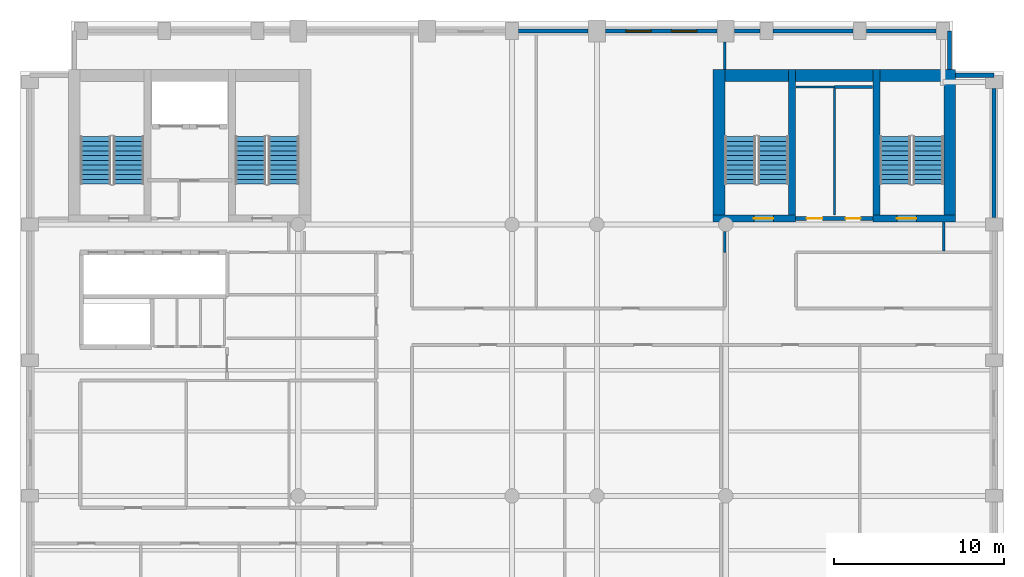
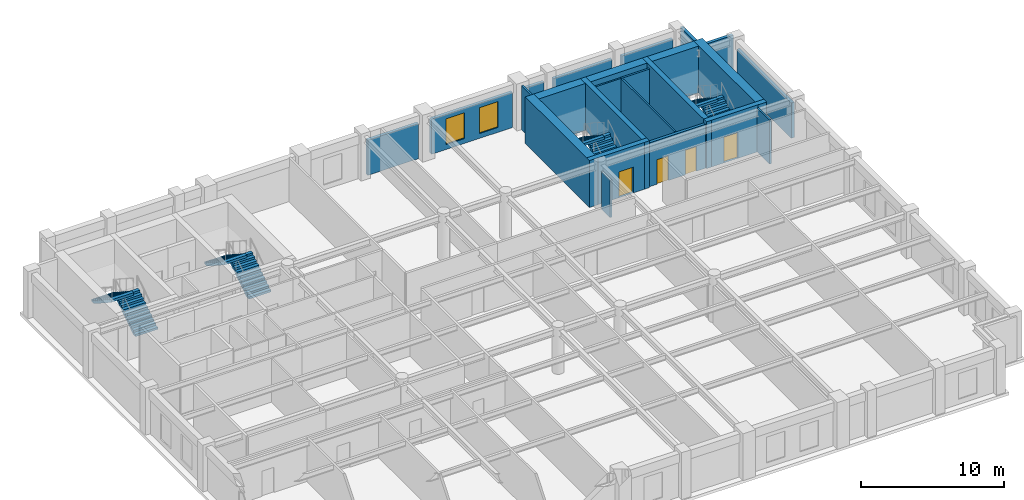
# One storey, part 6 of 8: 22 walls, 8 stair flights, 4 doors, 2 windows, 6 openings, 4 elements without a shape of their own.
"""IFC4 building model written with IfcOpenShell, lengths in metres."""

from ifc_helpers import new_model, si_unit, direction, frame, frame_2d, origin, place, context, subcontext, project, spatial, polyline, rectangle, outline, extrude, material, layer, layer_set, type_object, element, fill, aggregate, save


model = new_model("IFC4")

# Units and contexts
model_context = context("Model", 3, precision=1e-05, world=origin(), true_north=direction((0.0, 1.0)))
body_context = subcontext(model_context, "Body", "Model", "MODEL_VIEW")
ifc_project = project(units=[si_unit("LENGTHUNIT", "METRE"), si_unit("AREAUNIT", "SQUARE_METRE"), si_unit("VOLUMEUNIT", "CUBIC_METRE"), si_unit("PLANEANGLEUNIT", "RADIAN"), si_unit("MASSUNIT", "GRAM", prefix="KILO")], contexts=[model_context])

# Site, building, storey
site_placement = place(None, origin())
site = spatial("IfcSite", under=ifc_project, at=site_placement, CompositionType="ELEMENT")
building_placement = place(site_placement, origin())
building = spatial("IfcBuilding", under=site, at=building_placement, Name="Sulina Concourse Tower", CompositionType="ELEMENT")
storey_placement = place(building_placement, frame((0.0, 0.0, 252.60009765625)))
storey = spatial("IfcBuildingStorey", under=building, at=storey_placement, Name="L61", CompositionType="ELEMENT", Elevation=252.60009765625)

# Wall
ifc_material_1 = material(Name="Precast concrete C50/60", Category="concrete")
ifc_layer_1 = layer(ifc_material_1, 0.239990234375)
ifc_layer_set_1 = layer_set([ifc_layer_1], Name="Precast concrete C50/60")
wall_type_1 = type_object("IfcWallType", Name="Crown Precast Masonry-Frame Facade Wall 240mm", PredefinedType="SOLIDWALL", material=ifc_layer_set_1)
wall_1_placement = place(storey_placement, frame((29.39501953125, 45.39990234375, 0.0), z_axis=(0.0, 0.0, 1.0), x_axis=(1.0, 0.0, 0.0)))
element("IfcWall", 1, at=wall_1_placement, inside=storey, type_object=wall_type_1, Name="L61 exterior precast wall N6", PredefinedType="SOLIDWALL", context=body_context, shape_type="SweptSolid", body=[
    extrude(rectangle(XDim=4.0849609375, YDim=0.239990234375, at=frame_2d((2.04248046875, 0.0))), origin(), (0.0, 0.0, 1.0), 3.0),
])

# Wall, openings, windows
wall_2_placement = place(storey_placement, frame((34.52001953125, 45.39990234375, 0.0), z_axis=(0.0, 0.0, 1.0), x_axis=(1.0, 0.0, 0.0)))
wall_2 = element("IfcWall", 2, at=wall_2_placement, inside=storey, type_object=wall_type_1, Name="L61 exterior precast wall N7", PredefinedType="SOLIDWALL", context=body_context, shape_type="SweptSolid", body=[
    extrude(rectangle(XDim=6.56005859375, YDim=0.239990234375, at=frame_2d((3.280029296875, 0.0))), origin(), (0.0, 0.0, 1.0), 3.0),
])
opening_1_placement = place(wall_2_placement, frame((1.186767578125, 0.0, 0.419921875)))
opening_1 = element("IfcOpeningElement", 3, at=opening_1_placement, cuts=wall_2, Name="Opening WN-71", PredefinedType="OPENING", context=body_context, shape_type="SweptSolid", body=[
    extrude(rectangle(XDim=1.5, YDim=2.199951171875, at=frame_2d((0.75, 1.10009765625))), frame((0.0, 0.1298828125, 0.0), z_axis=(0.0, -1.0, 0.0), x_axis=(1.0, 0.0, 0.0)), (0.0, 0.0, 1.0), 0.260009765625),
])
opening_2_placement = place(wall_2_placement, frame((3.873291015625, 0.0, 0.419921875)))
opening_2 = element("IfcOpeningElement", 4, at=opening_2_placement, cuts=wall_2, Name="Opening WN-71", PredefinedType="OPENING", context=body_context, shape_type="SweptSolid", body=[
    extrude(rectangle(XDim=1.5, YDim=2.199951171875, at=frame_2d((0.75, 1.10009765625))), frame((0.0, 0.1298828125, 0.0), z_axis=(0.0, -1.0, 0.0), x_axis=(1.0, 0.0, 0.0)), (0.0, 0.0, 1.0), 0.260009765625),
])
ifc_material_2 = material(Name="Low-E solar double glazing in bronze aluminium", Category="aluminium")
window_type = type_object("IfcWindowType", Name="Punched Masonry-Frame Window 1500x2200", PartitioningType="SINGLE_PANEL", PredefinedType="WINDOW", material=ifc_material_2)
window_1_placement = place(opening_1_placement, origin())
window_1 = element("IfcWindow", 5, at=window_1_placement, inside=storey, type_object=window_type, Name="L61 punched window N7-1", OverallHeight=2.199951171875, OverallWidth=1.5, PartitioningType="SINGLE_PANEL", PredefinedType="WINDOW", context=body_context, shape_type="SweptSolid", body=[
    extrude(rectangle(XDim=1.5, YDim=2.199951171875, at=frame_2d((0.75, 1.10009765625))), frame((0.0, 0.030029296875, 0.0), z_axis=(0.0, -1.0, 0.0), x_axis=(1.0, 0.0, 0.0)), (0.0, 0.0, 1.0), 0.06005859375),
])
fill(opening_1, window_1)
window_2_placement = place(opening_2_placement, origin())
window_2 = element("IfcWindow", 6, at=window_2_placement, inside=storey, type_object=window_type, Name="L61 punched window N7-2", OverallHeight=2.199951171875, OverallWidth=1.5, PartitioningType="SINGLE_PANEL", PredefinedType="WINDOW", context=body_context, shape_type="SweptSolid", body=[
    extrude(rectangle(XDim=1.5, YDim=2.199951171875, at=frame_2d((0.75, 1.10009765625))), frame((0.0, 0.030029296875, 0.0), z_axis=(0.0, -1.0, 0.0), x_axis=(1.0, 0.0, 0.0)), (0.0, 0.0, 1.0), 0.06005859375),
])
fill(opening_2, window_2)

# Walls
wall_3_placement = place(storey_placement, frame((42.1201171875, 45.39990234375, 0.0), z_axis=(0.0, 0.0, 1.0), x_axis=(1.0, 0.0, 0.0)))
element("IfcWall", 7, at=wall_3_placement, inside=storey, type_object=wall_type_1, Name="L61 exterior precast wall N8", PredefinedType="SOLIDWALL", context=body_context, shape_type="SweptSolid", body=[
    extrude(rectangle(XDim=1.48486328125, YDim=0.239990234375, at=frame_2d((0.742431640625, 0.0))), origin(), (0.0, 0.0, 1.0), 3.0),
])
wall_4_placement = place(storey_placement, frame((44.39501953125, 45.39990234375, 0.0), z_axis=(0.0, 0.0, 1.0), x_axis=(1.0, 0.0, 0.0)))
element("IfcWall", 8, at=wall_4_placement, inside=storey, type_object=wall_type_1, Name="L61 exterior precast wall N9", PredefinedType="SOLIDWALL", context=body_context, shape_type="SweptSolid", body=[
    extrude(rectangle(XDim=4.7099609375, YDim=0.239990234375, at=frame_2d((2.35498046875, 0.0))), origin(), (0.0, 0.0, 1.0), 3.0),
])
wall_5_placement = place(storey_placement, frame((49.89501953125, 45.39990234375, 0.0), z_axis=(0.0, 0.0, 1.0), x_axis=(1.0, 0.0, 0.0)))
element("IfcWall", 9, at=wall_5_placement, inside=storey, type_object=wall_type_1, Name="L61 exterior precast wall N10", PredefinedType="SOLIDWALL", context=body_context, shape_type="SweptSolid", body=[
    extrude(rectangle(XDim=4.10986328125, YDim=0.239990234375, at=frame_2d((2.054931640625, 0.0))), origin(), (0.0, 0.0, 1.0), 3.0),
])
wall_6_placement = place(storey_placement, frame((57.39990234375, 42.0048828125, 0.0), z_axis=(0.0, 0.0, 1.0), x_axis=(0.0, -1.0, 0.0)))
element("IfcWall", 10, at=wall_6_placement, inside=storey, type_object=wall_type_1, Name="L61 exterior precast wall E5", PredefinedType="SOLIDWALL", context=body_context, shape_type="SweptSolid", body=[
    extrude(rectangle(XDim=7.60986328125, YDim=0.239990234375, at=frame_2d((3.804931640625, 0.0))), origin(), (0.0, 0.0, 1.0), 3.0),
])
wall_7_placement = place(storey_placement, frame((54.794921875, 45.39990234375, 0.0), z_axis=(0.0, 0.0, 1.0), x_axis=(0.0, -1.0, 0.0)))
element("IfcWall", 11, at=wall_7_placement, inside=storey, type_object=wall_type_1, Name="L61 exterior precast wall CNE1", PredefinedType="SOLIDWALL", context=body_context, shape_type="SweptSolid", body=[
    extrude(rectangle(XDim=2.264892578125, YDim=0.239990234375, at=frame_2d((1.13232421875, 0.0))), origin(), (0.0, 0.0, 1.0), 3.75),
])
wall_8_placement = place(storey_placement, frame((55.155029296875, 42.794921875, 0.0), z_axis=(0.0, 0.0, 1.0), x_axis=(1.0, 0.0, 0.0)))
element("IfcWall", 12, at=wall_8_placement, inside=storey, type_object=wall_type_1, Name="L61 exterior precast wall CNE2", PredefinedType="SOLIDWALL", context=body_context, shape_type="SweptSolid", body=[
    extrude(rectangle(XDim=2.244873046875, YDim=0.239990234375, at=frame_2d((1.12255859375, 0.0))), origin(), (0.0, 0.0, 1.0), 3.75),
])

# Wall, openings, doors
ifc_material_3 = material(Name="Gypsum board on steel stud", Category="steel")
ifc_layer_2 = layer(ifc_material_3, 0.219970703125)
ifc_layer_set_2 = layer_set([ifc_layer_2], Name="Gypsum board on steel stud")
wall_type_2 = type_object("IfcWallType", Name="Fire-Rated Lobby & Compartment Wall 220mm", PredefinedType="PARTITIONING", material=ifc_layer_set_2)
wall_9_placement = place(storey_placement, frame((45.719970703125, 34.35009765625, 0.0), z_axis=(0.0, 0.0, 1.0), x_axis=(1.0, 0.0, 0.0)))
wall_9 = element("IfcWall", 13, at=wall_9_placement, inside=storey, type_object=wall_type_2, Name="L61 east core south lobby wall", PredefinedType="PARTITIONING", context=body_context, shape_type="SweptSolid", body=[
    extrude(rectangle(XDim=4.56005859375, YDim=0.219970703125, at=frame_2d((2.280029296875, 0.0))), origin(), (0.0, 0.0, 1.0), 3.75),
])
opening_3_placement = place(wall_9_placement, frame((0.64990234375, 0.0, 0.0)))
opening_3 = element("IfcOpeningElement", 14, at=opening_3_placement, cuts=wall_9, Name="Opening DR-61", PredefinedType="OPENING", context=body_context, shape_type="SweptSolid", body=[
    extrude(rectangle(XDim=0.919921875, YDim=2.10009765625, at=frame_2d((0.4599609375, 1.050048828125))), frame((0.0, 0.119873046875, 0.0), z_axis=(0.0, -1.0, 0.0), x_axis=(1.0, 0.0, 0.0)), (0.0, 0.0, 1.0), 0.239990234375),
])
opening_4_placement = place(wall_9_placement, frame((2.949951171875, 0.0, 0.0)))
opening_4 = element("IfcOpeningElement", 15, at=opening_4_placement, cuts=wall_9, Name="Opening DR-38", PredefinedType="OPENING", context=body_context, shape_type="SweptSolid", body=[
    extrude(rectangle(XDim=0.8798828125, YDim=2.10009765625, at=frame_2d((0.43994140625, 1.050048828125))), frame((0.0, 0.119873046875, 0.0), z_axis=(0.0, -1.0, 0.0), x_axis=(1.0, 0.0, 0.0)), (0.0, 0.0, 1.0), 0.239990234375),
])
ifc_material_4 = material(Name="Oak-veneered fire door leaf")
ifc_layer_3 = layer(ifc_material_4, 0.050048828125)
ifc_layer_set_3 = layer_set([ifc_layer_3], Name="Oak-veneered fire door leaf")
door_type_1 = type_object("IfcDoorType", Name="Accessible WC Door 920x2100", OperationType="NOTDEFINED", PredefinedType="DOOR", material=ifc_layer_set_3)
door_1_placement = place(opening_3_placement, origin())
door_1 = element("IfcDoor", 16, at=door_1_placement, inside=storey, type_object=door_type_1, Name="L61 east core accessible wc door", OperationType="SINGLE_SWING_RIGHT", OverallHeight=2.10009765625, OverallWidth=0.919921875, PredefinedType="DOOR", context=body_context, shape_type="SweptSolid", body=[
    extrude(rectangle(XDim=0.919921875, YDim=2.10009765625, at=frame_2d((0.4599609375, 1.050048828125))), frame((0.0, 0.02490234375, 0.0), z_axis=(0.0, -1.0, 0.0), x_axis=(1.0, 0.0, 0.0)), (0.0, 0.0, 1.0), 0.050048828125),
])
fill(opening_3, door_1)
ifc_material_5 = material(Name="Galvanised steel acoustic fire leaf", Category="steel")
ifc_layer_4 = layer(ifc_material_5, 0.050048828125)
ifc_layer_set_4 = layer_set([ifc_layer_4], Name="Galvanised steel acoustic fire leaf")
door_type_2 = type_object("IfcDoorType", Name="Service Riser Fire Door 880x2100", OperationType="NOTDEFINED", PredefinedType="DOOR", material=ifc_layer_set_4)
door_2_placement = place(opening_4_placement, origin())
door_2 = element("IfcDoor", 17, at=door_2_placement, inside=storey, type_object=door_type_2, Name="L61 east core store door", OperationType="SINGLE_SWING_LEFT", OverallHeight=2.10009765625, OverallWidth=0.8798828125, PredefinedType="DOOR", context=body_context, shape_type="SweptSolid", body=[
    extrude(rectangle(XDim=0.8798828125, YDim=2.10009765625, at=frame_2d((0.43994140625, 1.050048828125))), frame((0.0, 0.02490234375, 0.0), z_axis=(0.0, -1.0, 0.0), x_axis=(1.0, 0.0, 0.0)), (0.0, 0.0, 1.0), 0.050048828125),
])
fill(opening_4, door_2)

# Walls
ifc_material_6 = material(Name="Gypsum board on steel stud", Category="steel")
ifc_layer_5 = layer(ifc_material_6, 0.14990234375)
ifc_layer_set_5 = layer_set([ifc_layer_5], Name="Gypsum board on steel stud")
wall_type_3 = type_object("IfcWallType", Name="Inter-Tenancy Acoustic Partition 150mm", PredefinedType="PARTITIONING", material=ifc_layer_set_5)
wall_10_placement = place(storey_placement, frame((48.0, 42.10009765625, 0.0), z_axis=(0.0, 0.0, 1.0), x_axis=(1.0, 0.0, 0.0)))
element("IfcWall", 18, at=wall_10_placement, inside=storey, type_object=wall_type_3, Name="L61 interior partition 033", PredefinedType="PARTITIONING", context=body_context, shape_type="SweptSolid", body=[
    extrude(rectangle(XDim=2.25, YDim=0.14990234375, at=frame_2d((1.125, 0.0))), origin(), (0.0, 0.0, 1.0), 3.75),
])
wall_11_placement = place(storey_placement, frame((41.550048828125, 32.35009765625, 0.0), z_axis=(0.0, 0.0, 1.0), x_axis=(0.0, 1.0, 0.0)))
element("IfcWall", 19, at=wall_11_placement, inside=storey, type_object=wall_type_3, Name="L61 interior partition 061", PredefinedType="PARTITIONING", context=body_context, shape_type="SweptSolid", body=[
    extrude(rectangle(XDim=1.224853515625, YDim=0.14990234375, at=frame_2d((0.6123046875, 0.0))), origin(), (0.0, 0.0, 1.0), 3.19482421875),
])
wall_12_placement = place(storey_placement, frame((41.550048828125, 43.1298828125, 0.0), z_axis=(0.0, 0.0, 1.0), x_axis=(0.0, 1.0, 0.0)))
element("IfcWall", 20, at=wall_12_placement, inside=storey, type_object=wall_type_3, Name="L61 interior partition 062", PredefinedType="PARTITIONING", context=body_context, shape_type="SweptSolid", body=[
    extrude(rectangle(XDim=1.6201171875, YDim=0.14990234375, at=frame_2d((0.81005859375, 0.0))), origin(), (0.0, 0.0, 1.0), 3.75),
])
wall_13_placement = place(storey_placement, frame((54.449951171875, 32.425048828125, 0.0), z_axis=(0.0, 0.0, 1.0), x_axis=(0.0, 1.0, 0.0)))
element("IfcWall", 21, at=wall_13_placement, inside=storey, type_object=wall_type_3, Name="L61 interior partition 066", PredefinedType="PARTITIONING", context=body_context, shape_type="SweptSolid", body=[
    extrude(rectangle(XDim=1.724853515625, YDim=0.14990234375, at=frame_2d((0.8623046875, 0.0))), origin(), (0.0, 0.0, 1.0), 3.75),
])

# Wall, opening, door
ifc_material_7 = material(Name="Concrete C60/75", Category="concrete")
ifc_layer_6 = layer(ifc_material_7, 0.39990234375)
ifc_layer_set_6 = layer_set([ifc_layer_6], Name="Concrete C60/75")
wall_type_4 = type_object("IfcWallType", Name="Protected Stair Core Shear Wall 400mm", PredefinedType="SHEAR", material=ifc_layer_set_6)
wall_14_placement = place(storey_placement, frame((40.85009765625, 34.35009765625, 0.0), z_axis=(0.0, 0.0, 1.0), x_axis=(1.0, 0.0, 0.0)))
wall_14 = element("IfcWall", 22, at=wall_14_placement, inside=storey, type_object=wall_type_4, Name="L61 east core shear wall CW-ES1", PredefinedType="SHEAR", context=body_context, shape_type="SweptSolid", body=[
    extrude(rectangle(XDim=4.85986328125, YDim=0.39990234375, at=frame_2d((2.429931640625, 0.0))), origin(), (0.0, 0.0, 1.0), 4.0),
])
opening_5_placement = place(wall_14_placement, frame((2.39990234375, 0.0, 0.0)))
opening_5 = element("IfcOpeningElement", 23, at=opening_5_placement, cuts=wall_14, Name="Opening DR-60", PredefinedType="OPENING", context=body_context, shape_type="SweptSolid", body=[
    extrude(rectangle(XDim=1.14990234375, YDim=2.199951171875, at=frame_2d((0.574951171875, 1.10009765625))), frame((0.0, 0.2099609375, 0.0), z_axis=(0.0, -1.0, 0.0), x_axis=(1.0, 0.0, 0.0)), (0.0, 0.0, 1.0), 0.419921875),
])
ifc_material_8 = material(Name="Galvanised steel acoustic fire leaf", Category="steel")
ifc_layer_7 = layer(ifc_material_8, 0.054931640625)
ifc_layer_set_7 = layer_set([ifc_layer_7], Name="Galvanised steel acoustic fire leaf")
door_type_3 = type_object("IfcDoorType", Name="Protected Exit Stair Fire Door 1150x2200", OperationType="NOTDEFINED", PredefinedType="DOOR", material=ifc_layer_set_7)
door_3_placement = place(opening_5_placement, origin())
door_3 = element("IfcDoor", 24, at=door_3_placement, inside=storey, type_object=door_type_3, Name="L61 stair ST-3 south lobby fire door", OperationType="SINGLE_SWING_LEFT", OverallHeight=2.199951171875, OverallWidth=1.14990234375, PredefinedType="DOOR", context=body_context, shape_type="SweptSolid", body=[
    extrude(rectangle(XDim=1.14990234375, YDim=2.199951171875, at=frame_2d((0.574951171875, 1.10009765625))), frame((0.0, 0.02490234375, 0.0), z_axis=(0.0, -1.0, 0.0), x_axis=(1.0, 0.0, 0.0)), (0.0, 0.0, 1.0), 0.050048828125),
])
fill(opening_5, door_3)

# Wall
wall_15_placement = place(storey_placement, frame((45.510009765625, 34.14990234375, 0.0), z_axis=(0.0, 0.0, 1.0), x_axis=(0.0, 1.0, 0.0)))
element("IfcWall", 25, at=wall_15_placement, inside=storey, type_object=wall_type_4, Name="L61 east core shear wall SW-ST3", PredefinedType="SHEAR", context=body_context, shape_type="SweptSolid", body=[
    extrude(rectangle(XDim=8.97998046875, YDim=0.39990234375, at=frame_2d((4.489990234375, 0.0))), origin(), (0.0, 0.0, 1.0), 4.0),
])

# Wall, opening, door
wall_16_placement = place(storey_placement, frame((50.2900390625, 34.35009765625, 0.0), z_axis=(0.0, 0.0, 1.0), x_axis=(1.0, 0.0, 0.0)))
wall_16 = element("IfcWall", 26, at=wall_16_placement, inside=storey, type_object=wall_type_4, Name="L61 east core shear wall CW-ES2", PredefinedType="SHEAR", context=body_context, shape_type="SweptSolid", body=[
    extrude(rectangle(XDim=4.85986328125, YDim=0.39990234375, at=frame_2d((2.429931640625, 0.0))), origin(), (0.0, 0.0, 1.0), 4.0),
])
opening_6_placement = place(wall_16_placement, frame((1.39990234375, 0.0, 0.0)))
opening_6 = element("IfcOpeningElement", 27, at=opening_6_placement, cuts=wall_16, Name="Opening DR-60", PredefinedType="OPENING", context=body_context, shape_type="SweptSolid", body=[
    extrude(rectangle(XDim=1.14990234375, YDim=2.199951171875, at=frame_2d((0.574951171875, 1.10009765625))), frame((0.0, 0.2099609375, 0.0), z_axis=(0.0, -1.0, 0.0), x_axis=(1.0, 0.0, 0.0)), (0.0, 0.0, 1.0), 0.419921875),
])
door_4_placement = place(opening_6_placement, origin())
door_4 = element("IfcDoor", 28, at=door_4_placement, inside=storey, type_object=door_type_3, Name="L61 stair ST-4 south lobby fire door", OperationType="SINGLE_SWING_RIGHT", OverallHeight=2.199951171875, OverallWidth=1.14990234375, PredefinedType="DOOR", context=body_context, shape_type="SweptSolid", body=[
    extrude(rectangle(XDim=1.14990234375, YDim=2.199951171875, at=frame_2d((0.574951171875, 1.10009765625))), frame((0.0, 0.02490234375, 0.0), z_axis=(0.0, -1.0, 0.0), x_axis=(1.0, 0.0, 0.0)), (0.0, 0.0, 1.0), 0.050048828125),
])
fill(opening_6, door_4)

# Walls
wall_17_placement = place(storey_placement, frame((50.489990234375, 34.14990234375, 0.0), z_axis=(0.0, 0.0, 1.0), x_axis=(0.0, 1.0, 0.0)))
element("IfcWall", 29, at=wall_17_placement, inside=storey, type_object=wall_type_4, Name="L61 east core shear wall SW-ST4", PredefinedType="SHEAR", context=body_context, shape_type="SweptSolid", body=[
    extrude(rectangle(XDim=8.97998046875, YDim=0.39990234375, at=frame_2d((4.489990234375, 0.0))), origin(), (0.0, 0.0, 1.0), 4.0),
])
ifc_material_9 = material(Name="Concrete C60/75", Category="concrete")
ifc_layer_8 = layer(ifc_material_9, 0.699951171875)
ifc_layer_set_8 = layer_set([ifc_layer_8], Name="Concrete C60/75")
wall_type_5 = type_object("IfcWallType", Name="Rear Core Shear Wall 700mm", PredefinedType="SHEAR", material=ifc_layer_set_8)
wall_18_placement = place(storey_placement, frame((40.85009765625, 42.780029296875, 0.0), z_axis=(0.0, 0.0, 1.0), x_axis=(1.0, 0.0, 0.0)))
element("IfcWall", 30, at=wall_18_placement, inside=storey, type_object=wall_type_5, Name="L61 east core shear wall CW-EN", PredefinedType="SHEAR", context=body_context, shape_type="SweptSolid", body=[
    extrude(rectangle(XDim=14.2998046875, YDim=0.699951171875, at=frame_2d((7.14990234375, 0.0))), origin(), (0.0, 0.0, 1.0), 4.0),
])
for number, where, z_axis, x_axis, name in (
    (31, (41.199951171875, 34.14990234375, 0.0), (0.0, 0.0, 1.0), (0.0, 1.0, 0.0), "L61 east core shear wall CW-EW"),
    (32, (54.800048828125, 34.14990234375, 0.0), (0.0, 0.0, 1.0), (0.0, 1.0, 0.0), "L61 east core shear wall CW-EE"),
):
    element("IfcWall", number, at=place(storey_placement, frame(where, z_axis=z_axis, x_axis=x_axis)), inside=storey, type_object=wall_type_5, Name=name, PredefinedType="SHEAR", context=body_context, shape_type="SweptSolid", body=[
        extrude(rectangle(XDim=8.97998046875, YDim=0.699951171875, at=frame_2d((4.489990234375, 0.0))), origin(), (0.0, 0.0, 1.0), 4.0),
    ])
ifc_material_10 = material(Name="Gypsum board on steel stud", Category="steel")
ifc_layer_9 = layer(ifc_material_10, 0.125)
ifc_layer_set_9 = layer_set([ifc_layer_9], Name="Gypsum board on steel stud")
wall_type_6 = type_object("IfcWallType", Name="Wet-Area Moisture-Resistant Partition 125mm", PredefinedType="PARTITIONING", material=ifc_layer_set_9)
wall_19_placement = place(storey_placement, frame((45.75, 42.10009765625, 0.0), z_axis=(0.0, 0.0, 1.0), x_axis=(1.0, 0.0, 0.0)))
element("IfcWall", 33, at=wall_19_placement, inside=storey, type_object=wall_type_6, Name="L61 interior partition 032", PredefinedType="PARTITIONING", context=body_context, shape_type="SweptSolid", body=[
    extrude(rectangle(XDim=2.25, YDim=0.125, at=frame_2d((1.125, 0.0))), origin(), (0.0, 0.0, 1.0), 3.75),
])
wall_20_placement = place(storey_placement, frame((48.0, 34.550048828125, 0.0), z_axis=(0.0, 0.0, 1.0), x_axis=(0.0, 1.0, 0.0)))
element("IfcWall", 34, at=wall_20_placement, inside=storey, type_object=wall_type_6, Name="L61 interior partition 064", PredefinedType="PARTITIONING", context=body_context, shape_type="SweptSolid", body=[
    extrude(rectangle(XDim=7.474853515625, YDim=0.125, at=frame_2d((3.7373046875, 0.0))), origin(), (0.0, 0.0, 1.0), 3.75),
])

# Stair, stair flights
ifc_material_11 = material(Name="Concrete C50/60", Category="concrete")
stair_type_1 = type_object("IfcStairType", Name="Portal & Podium Core Exit Stair 1820mm", PredefinedType="HALF_TURN_STAIR", material=ifc_material_11)
stair_1_placement = place(storey_placement, origin())
stair_1 = element("IfcStair", 35, at=stair_1_placement, inside=storey, type_object=stair_type_1, Name="L61 ST-3", PredefinedType="HALF_TURN_STAIR")
ifc_material_12 = material(Name="Concrete C50/60", Category="concrete")
stair_flight_type_1 = type_object("IfcStairFlightType", Name="Portal & Podium Core Exit Stair 1820mm Flight", PredefinedType="STRAIGHT", material=ifc_material_12)
stair_flight_1_placement = place(storey_placement, frame((44.405029296875, 36.375, 0.0), z_axis=(0.0, 0.0, 1.0), x_axis=(0.0, 1.0, 0.0)))
stair_flight_1 = element("IfcStairFlight", 36, at=stair_flight_1_placement, type_object=stair_flight_type_1, Name="ST-3 flight 1", NumberOfRisers=11, NumberOfTreads=10, PredefinedType="STRAIGHT", RiserHeight=0.181818182, TreadLength=0.28, context=body_context, shape_type="SweptSolid", body=[
    extrude(outline(polyline([(0.0, 0.0), (0.0, 0.181884765625), (0.280029296875, 0.181884765625), (0.280029296875, 0.363525390625), (0.56005859375, 0.363525390625), (0.56005859375, 0.54541015625), (0.840087890625, 0.54541015625), (0.840087890625, 0.727294921875), (1.1201171875, 0.727294921875), (1.1201171875, 0.9091796875), (1.39990234375, 0.9091796875), (1.39990234375, 1.0908203125), (1.679931640625, 1.0908203125), (1.679931640625, 1.272705078125), (1.9599609375, 1.272705078125), (1.9599609375, 1.45458984375), (2.239990234375, 1.45458984375), (2.239990234375, 1.636474609375), (2.52001953125, 1.636474609375), (2.52001953125, 1.818115234375), (2.800048828125, 1.818115234375), (2.800048828125, 2.0), (2.800048828125, 1.603759765625), (0.330322265625, 0.0), (0.0, 0.0)])), frame((0.0, 0.89990234375, 0.0), z_axis=(0.0, -1.0, 0.0), x_axis=(1.0, 0.0, 0.0)), (0.0, 0.0, 1.0), 1.800048828125),
])
stair_flight_2_placement = place(storey_placement, frame((42.455078125, 39.175048828125, 2.0), z_axis=(0.0, 0.0, 1.0), x_axis=(0.0, -1.0, 0.0)))
stair_flight_2 = element("IfcStairFlight", 37, at=stair_flight_2_placement, type_object=stair_flight_type_1, Name="ST-3 flight 2", NumberOfRisers=11, NumberOfTreads=10, PredefinedType="STRAIGHT", RiserHeight=0.181818182, TreadLength=0.28, context=body_context, shape_type="SweptSolid", body=[
    extrude(outline(polyline([(0.0, 0.0), (0.0, 0.181884765625), (0.280029296875, 0.181884765625), (0.280029296875, 0.363525390625), (0.56005859375, 0.363525390625), (0.56005859375, 0.54541015625), (0.840087890625, 0.54541015625), (0.840087890625, 0.727294921875), (1.1201171875, 0.727294921875), (1.1201171875, 0.9091796875), (1.39990234375, 0.9091796875), (1.39990234375, 1.0908203125), (1.679931640625, 1.0908203125), (1.679931640625, 1.272705078125), (1.9599609375, 1.272705078125), (1.9599609375, 1.45458984375), (2.239990234375, 1.45458984375), (2.239990234375, 1.636474609375), (2.52001953125, 1.636474609375), (2.52001953125, 1.818115234375), (2.800048828125, 1.818115234375), (2.800048828125, 2.0), (2.800048828125, 1.603759765625), (0.330322265625, 0.0), (0.0, 0.0)])), frame((0.0, 0.89990234375, 0.0), z_axis=(0.0, -1.0, 0.0), x_axis=(1.0, 0.0, 0.0)), (0.0, 0.0, 1.0), 1.800048828125),
])
aggregate(stair_1, [stair_flight_1, stair_flight_2])

stair_2_placement = place(storey_placement, origin())
stair_2 = element("IfcStair", 38, at=stair_2_placement, inside=storey, type_object=stair_type_1, Name="L61 ST-4", PredefinedType="HALF_TURN_STAIR")
stair_flight_3_placement = place(storey_placement, frame((53.544921875, 36.375, 0.0), z_axis=(0.0, 0.0, 1.0), x_axis=(0.0, 1.0, 0.0)))
stair_flight_3 = element("IfcStairFlight", 39, at=stair_flight_3_placement, type_object=stair_flight_type_1, Name="ST-4 flight 1", NumberOfRisers=11, NumberOfTreads=10, PredefinedType="STRAIGHT", RiserHeight=0.181818182, TreadLength=0.28, context=body_context, shape_type="SweptSolid", body=[
    extrude(outline(polyline([(0.0, 0.0), (0.0, 0.181884765625), (0.280029296875, 0.181884765625), (0.280029296875, 0.363525390625), (0.56005859375, 0.363525390625), (0.56005859375, 0.54541015625), (0.840087890625, 0.54541015625), (0.840087890625, 0.727294921875), (1.1201171875, 0.727294921875), (1.1201171875, 0.9091796875), (1.39990234375, 0.9091796875), (1.39990234375, 1.0908203125), (1.679931640625, 1.0908203125), (1.679931640625, 1.272705078125), (1.9599609375, 1.272705078125), (1.9599609375, 1.45458984375), (2.239990234375, 1.45458984375), (2.239990234375, 1.636474609375), (2.52001953125, 1.636474609375), (2.52001953125, 1.818115234375), (2.800048828125, 1.818115234375), (2.800048828125, 2.0), (2.800048828125, 1.603759765625), (0.330322265625, 0.0), (0.0, 0.0)])), frame((0.0, 0.89990234375, 0.0), z_axis=(0.0, -1.0, 0.0), x_axis=(1.0, 0.0, 0.0)), (0.0, 0.0, 1.0), 1.800048828125),
])
stair_flight_4_placement = place(storey_placement, frame((51.594970703125, 39.175048828125, 2.0), z_axis=(0.0, 0.0, 1.0), x_axis=(0.0, -1.0, 0.0)))
stair_flight_4 = element("IfcStairFlight", 40, at=stair_flight_4_placement, type_object=stair_flight_type_1, Name="ST-4 flight 2", NumberOfRisers=11, NumberOfTreads=10, PredefinedType="STRAIGHT", RiserHeight=0.181818182, TreadLength=0.28, context=body_context, shape_type="SweptSolid", body=[
    extrude(outline(polyline([(0.0, 0.0), (0.0, 0.181884765625), (0.280029296875, 0.181884765625), (0.280029296875, 0.363525390625), (0.56005859375, 0.363525390625), (0.56005859375, 0.54541015625), (0.840087890625, 0.54541015625), (0.840087890625, 0.727294921875), (1.1201171875, 0.727294921875), (1.1201171875, 0.9091796875), (1.39990234375, 0.9091796875), (1.39990234375, 1.0908203125), (1.679931640625, 1.0908203125), (1.679931640625, 1.272705078125), (1.9599609375, 1.272705078125), (1.9599609375, 1.45458984375), (2.239990234375, 1.45458984375), (2.239990234375, 1.636474609375), (2.52001953125, 1.636474609375), (2.52001953125, 1.818115234375), (2.800048828125, 1.818115234375), (2.800048828125, 2.0), (2.800048828125, 1.603759765625), (0.330322265625, 0.0), (0.0, 0.0)])), frame((0.0, 0.89990234375, 0.0), z_axis=(0.0, -1.0, 0.0), x_axis=(1.0, 0.0, 0.0)), (0.0, 0.0, 1.0), 1.800048828125),
])
aggregate(stair_2, [stair_flight_3, stair_flight_4])

ifc_material_13 = material(Name="Concrete C50/60", Category="concrete")
stair_type_2 = type_object("IfcStairType", Name="Primary Core Dog-Leg Exit Stair 1800mm", PredefinedType="HALF_TURN_STAIR", material=ifc_material_13)
stair_3_placement = place(storey_placement, origin())
stair_3 = element("IfcStair", 41, at=stair_3_placement, inside=storey, type_object=stair_type_2, Name="L61 ST-1", PredefinedType="HALF_TURN_STAIR")
ifc_material_14 = material(Name="Concrete C50/60", Category="concrete")
stair_flight_type_2 = type_object("IfcStairFlightType", Name="Primary Core Dog-Leg Exit Stair 1800mm Flight", PredefinedType="STRAIGHT", material=ifc_material_14)
stair_flight_5_placement = place(storey_placement, frame((6.405029296875, 36.375, 0.0), z_axis=(0.0, 0.0, 1.0), x_axis=(0.0, 1.0, 0.0)))
stair_flight_5 = element("IfcStairFlight", 42, at=stair_flight_5_placement, type_object=stair_flight_type_2, Name="ST-1 flight 1", NumberOfRisers=11, NumberOfTreads=10, PredefinedType="STRAIGHT", RiserHeight=0.181818182, TreadLength=0.28, context=body_context, shape_type="SweptSolid", body=[
    extrude(outline(polyline([(0.0, 0.0), (0.0, 0.181884765625), (0.280029296875, 0.181884765625), (0.280029296875, 0.363525390625), (0.56005859375, 0.363525390625), (0.56005859375, 0.54541015625), (0.840087890625, 0.54541015625), (0.840087890625, 0.727294921875), (1.1201171875, 0.727294921875), (1.1201171875, 0.9091796875), (1.39990234375, 0.9091796875), (1.39990234375, 1.0908203125), (1.679931640625, 1.0908203125), (1.679931640625, 1.272705078125), (1.9599609375, 1.272705078125), (1.9599609375, 1.45458984375), (2.239990234375, 1.45458984375), (2.239990234375, 1.636474609375), (2.52001953125, 1.636474609375), (2.52001953125, 1.818115234375), (2.800048828125, 1.818115234375), (2.800048828125, 2.0), (2.800048828125, 1.603759765625), (0.330322265625, 0.0), (0.0, 0.0)])), frame((0.0, 0.89990234375, 0.0), z_axis=(0.0, -1.0, 0.0), x_axis=(1.0, 0.0, 0.0)), (0.0, 0.0, 1.0), 1.800048828125),
])
stair_flight_6_placement = place(storey_placement, frame((4.455078125, 39.175048828125, 2.0), z_axis=(0.0, 0.0, 1.0), x_axis=(0.0, -1.0, 0.0)))
stair_flight_6 = element("IfcStairFlight", 43, at=stair_flight_6_placement, type_object=stair_flight_type_2, Name="ST-1 flight 2", NumberOfRisers=11, NumberOfTreads=10, PredefinedType="STRAIGHT", RiserHeight=0.181818182, TreadLength=0.28, context=body_context, shape_type="SweptSolid", body=[
    extrude(outline(polyline([(0.0, 0.0), (0.0, 0.181884765625), (0.280029296875, 0.181884765625), (0.280029296875, 0.363525390625), (0.56005859375, 0.363525390625), (0.56005859375, 0.54541015625), (0.840087890625, 0.54541015625), (0.840087890625, 0.727294921875), (1.1201171875, 0.727294921875), (1.1201171875, 0.9091796875), (1.39990234375, 0.9091796875), (1.39990234375, 1.0908203125), (1.679931640625, 1.0908203125), (1.679931640625, 1.272705078125), (1.9599609375, 1.272705078125), (1.9599609375, 1.45458984375), (2.239990234375, 1.45458984375), (2.239990234375, 1.636474609375), (2.52001953125, 1.636474609375), (2.52001953125, 1.818115234375), (2.800048828125, 1.818115234375), (2.800048828125, 2.0), (2.800048828125, 1.603759765625), (0.330322265625, 0.0), (0.0, 0.0)])), frame((0.0, 0.89990234375, 0.0), z_axis=(0.0, -1.0, 0.0), x_axis=(1.0, 0.0, 0.0)), (0.0, 0.0, 1.0), 1.800048828125),
])
aggregate(stair_3, [stair_flight_5, stair_flight_6])

stair_4_placement = place(storey_placement, origin())
stair_4 = element("IfcStair", 44, at=stair_4_placement, inside=storey, type_object=stair_type_2, Name="L61 ST-2", PredefinedType="HALF_TURN_STAIR")
stair_flight_7_placement = place(storey_placement, frame((15.544921875, 36.375, 0.0), z_axis=(0.0, 0.0, 1.0), x_axis=(0.0, 1.0, 0.0)))
stair_flight_7 = element("IfcStairFlight", 45, at=stair_flight_7_placement, type_object=stair_flight_type_2, Name="ST-2 flight 1", NumberOfRisers=11, NumberOfTreads=10, PredefinedType="STRAIGHT", RiserHeight=0.181818182, TreadLength=0.28, context=body_context, shape_type="SweptSolid", body=[
    extrude(outline(polyline([(0.0, 0.0), (0.0, 0.181884765625), (0.280029296875, 0.181884765625), (0.280029296875, 0.363525390625), (0.56005859375, 0.363525390625), (0.56005859375, 0.54541015625), (0.840087890625, 0.54541015625), (0.840087890625, 0.727294921875), (1.1201171875, 0.727294921875), (1.1201171875, 0.9091796875), (1.39990234375, 0.9091796875), (1.39990234375, 1.0908203125), (1.679931640625, 1.0908203125), (1.679931640625, 1.272705078125), (1.9599609375, 1.272705078125), (1.9599609375, 1.45458984375), (2.239990234375, 1.45458984375), (2.239990234375, 1.636474609375), (2.52001953125, 1.636474609375), (2.52001953125, 1.818115234375), (2.800048828125, 1.818115234375), (2.800048828125, 2.0), (2.800048828125, 1.603759765625), (0.330322265625, 0.0), (0.0, 0.0)])), frame((0.0, 0.89990234375, 0.0), z_axis=(0.0, -1.0, 0.0), x_axis=(1.0, 0.0, 0.0)), (0.0, 0.0, 1.0), 1.800048828125),
])
stair_flight_8_placement = place(storey_placement, frame((13.594970703125, 39.175048828125, 2.0), z_axis=(0.0, 0.0, 1.0), x_axis=(0.0, -1.0, 0.0)))
stair_flight_8 = element("IfcStairFlight", 46, at=stair_flight_8_placement, type_object=stair_flight_type_2, Name="ST-2 flight 2", NumberOfRisers=11, NumberOfTreads=10, PredefinedType="STRAIGHT", RiserHeight=0.181818182, TreadLength=0.28, context=body_context, shape_type="SweptSolid", body=[
    extrude(outline(polyline([(0.0, 0.0), (0.0, 0.181884765625), (0.280029296875, 0.181884765625), (0.280029296875, 0.363525390625), (0.56005859375, 0.363525390625), (0.56005859375, 0.54541015625), (0.840087890625, 0.54541015625), (0.840087890625, 0.727294921875), (1.1201171875, 0.727294921875), (1.1201171875, 0.9091796875), (1.39990234375, 0.9091796875), (1.39990234375, 1.0908203125), (1.679931640625, 1.0908203125), (1.679931640625, 1.272705078125), (1.9599609375, 1.272705078125), (1.9599609375, 1.45458984375), (2.239990234375, 1.45458984375), (2.239990234375, 1.636474609375), (2.52001953125, 1.636474609375), (2.52001953125, 1.818115234375), (2.800048828125, 1.818115234375), (2.800048828125, 2.0), (2.800048828125, 1.603759765625), (0.330322265625, 0.0), (0.0, 0.0)])), frame((0.0, 0.89990234375, 0.0), z_axis=(0.0, -1.0, 0.0), x_axis=(1.0, 0.0, 0.0)), (0.0, 0.0, 1.0), 1.800048828125),
])
aggregate(stair_4, [stair_flight_7, stair_flight_8])

save(model, "model.ifc")
